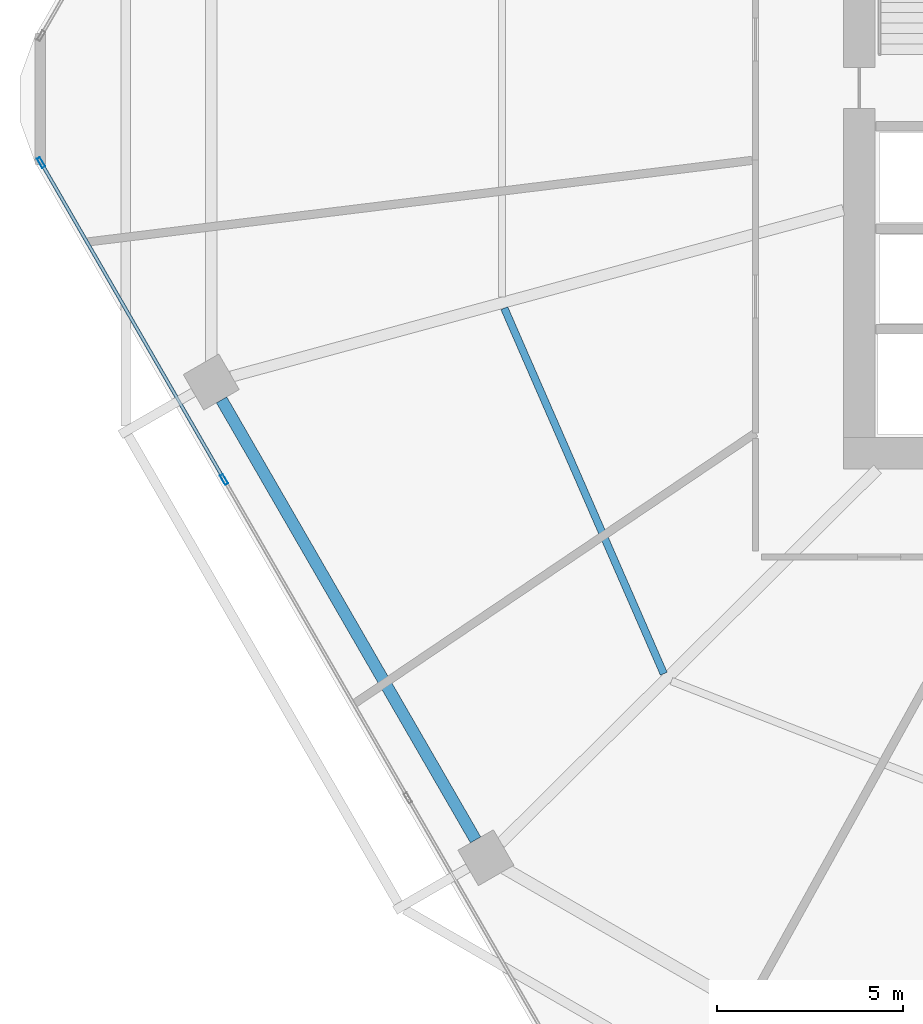
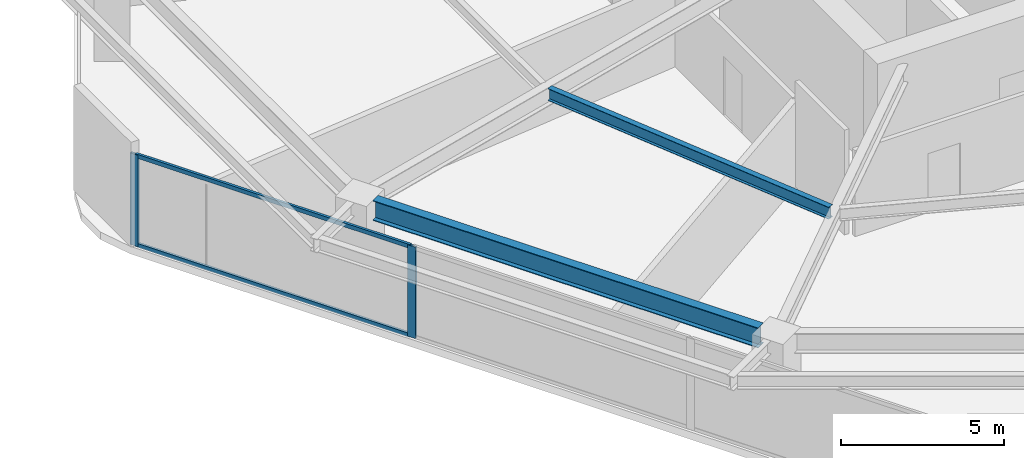
# One storey, part 5 of 28: 4 members, 2 beams, 1 element without a shape of its own.
"""IFC4 building model written with IfcOpenShell, lengths in metres."""

from ifc_helpers import new_model, si_unit, direction, frame, origin, origin_2d, place, context, subcontext, project, spatial, hollow_rectangle, i_section, extrude, material, material_profile, profile_set, type_object, element, aggregate, save


model = new_model("IFC4")

# Units and contexts
model_context = context("Model", 3, precision=1e-05, world=origin(), true_north=direction((0.0, 1.0)))
body_context = subcontext(model_context, "Body", "Model", "MODEL_VIEW")
ifc_project = project(units=[si_unit("LENGTHUNIT", "METRE"), si_unit("AREAUNIT", "SQUARE_METRE"), si_unit("VOLUMEUNIT", "CUBIC_METRE"), si_unit("PLANEANGLEUNIT", "RADIAN"), si_unit("MASSUNIT", "GRAM", prefix="KILO")], contexts=[model_context])

# Site, building, storey
site_placement = place(None, origin())
site = spatial("IfcSite", under=ifc_project, at=site_placement, CompositionType="ELEMENT")
building_placement = place(site_placement, origin())
building = spatial("IfcBuilding", under=site, at=building_placement, Name="Zuhravey Tower", CompositionType="ELEMENT")
storey_placement = place(building_placement, frame((0.0, 0.0, 79.199951171875)))
storey = spatial("IfcBuildingStorey", under=building, at=storey_placement, Name="L19", CompositionType="ELEMENT", Elevation=79.199951171875)

# Curtain wall, members
ifc_material_1 = material(Name="Thermally broken anodised aluminium", Category="aluminium")
curtain_wall_type = type_object("IfcCurtainWallType", Name="School Low-E Unitised Curtain Wall CW1", PredefinedType="NOTDEFINED", material=ifc_material_1)
curtain_wall_placement = place(storey_placement, origin())
curtain_wall = element("IfcCurtainWall", 1, at=curtain_wall_placement, inside=storey, type_object=curtain_wall_type, Name="L19 CW1 CW-L19-F4-1", PredefinedType="NOTDEFINED")
ifc_material_2 = material(Name="Anodised aluminium", Category="aluminium")
ifc_material_profile_1 = material_profile(ifc_material_2, hollow_rectangle(XDim=0.090087890625, YDim=0.284912109375, WallThickness=0.0048828125, at=origin_2d()), Name="ALU-RHS-90x285x5")
ifc_profile_set_1 = profile_set([ifc_material_profile_1], Name="Anodised aluminium")
member_type_1 = type_object("IfcMemberType", Name="Curtain-Wall Mullion 90x180", PredefinedType="MULLION", material=ifc_profile_set_1)
member_1_placement = place(storey_placement, frame((8.45458984375, 21.79296875, 0.0), z_axis=(0.0, 0.0, 1.0), x_axis=(-0.86602552265, -0.499999794119, 0.0)))
member_1 = element("IfcMember", 2, at=member_1_placement, type_object=member_type_1, Name="CW1 mullion 3", PredefinedType="MULLION", context=body_context, shape_type="SweptSolid", body=[
    extrude(hollow_rectangle(XDim=0.090087890625, YDim=0.284912109375, WallThickness=0.0048828125, at=origin_2d()), origin(), (0.0, 0.0, 1.0), 3.420166015625),
])
member_2_placement = place(storey_placement, frame((3.5439453125, 30.298583984375, 0.0), z_axis=(0.0, 0.0, 1.0), x_axis=(-0.86602552265, -0.499999794119, 0.0)))
member_2 = element("IfcMember", 3, at=member_2_placement, type_object=member_type_1, Name="CW1 mullion 4", PredefinedType="MULLION", context=body_context, shape_type="SweptSolid", body=[
    extrude(hollow_rectangle(XDim=0.090087890625, YDim=0.284912109375, WallThickness=0.0048828125, at=origin_2d()), origin(), (0.0, 0.0, 1.0), 3.420166015625),
])
ifc_material_profile_2 = material_profile(ifc_material_2, hollow_rectangle(XDim=0.090087890625, YDim=0.14990234375, WallThickness=0.0048828125, at=origin_2d()), Name="ALU-RHS-90x150x5")
ifc_profile_set_2 = profile_set([ifc_material_profile_2], Name="Anodised aluminium")
member_type_2 = type_object("IfcMemberType", Name="Curtain-Wall Transom 90x150", PredefinedType="USERDEFINED", material=ifc_profile_set_2)
member_3_placement = place(storey_placement, frame((8.43212890625, 21.83203125, 0.045166015625), z_axis=(-0.500008393077, 0.866020557985, 0.0), x_axis=(-0.866020557985, -0.500008393077, 0.0)))
member_3 = element("IfcMember", 4, at=member_3_placement, type_object=member_type_2, Name="CW1 transom 3.1", ObjectType="TRANSOM", PredefinedType="USERDEFINED", context=body_context, shape_type="SweptSolid", body=[
    extrude(hollow_rectangle(XDim=0.090087890625, YDim=0.14990234375, WallThickness=0.0048828125, at=origin_2d()), origin(), (0.0, 0.0, 1.0), 9.731201171875),
])
member_4_placement = place(storey_placement, frame((8.43212890625, 21.83203125, 3.375), z_axis=(-0.500008393077, 0.866020557985, 0.0), x_axis=(-0.866020557985, -0.500008393077, 0.0)))
member_4 = element("IfcMember", 5, at=member_4_placement, type_object=member_type_2, Name="CW1 transom 3.2", ObjectType="TRANSOM", PredefinedType="USERDEFINED", context=body_context, shape_type="SweptSolid", body=[
    extrude(hollow_rectangle(XDim=0.090087890625, YDim=0.14990234375, WallThickness=0.0048828125, at=origin_2d()), origin(), (0.0, 0.0, 1.0), 9.731201171875),
])
aggregate(curtain_wall, [member_1, member_2, member_3, member_4])

# Beams
ifc_material_3 = material(Name="Steel SM355", Category="steel")
ifc_material_profile_3 = material_profile(ifc_material_3, i_section(OverallWidth=0.320068359375, OverallDepth=0.75, WebThickness=0.013916015625, FlangeThickness=0.02490234375, at=origin_2d()), Name="H-750x320x14x25")
ifc_profile_set_3 = profile_set([ifc_material_profile_3], Name="Steel SM355")
beam_type_1 = type_object("IfcBeamType", Name="Perimeter Ring Beam H750x320", PredefinedType="BEAM", material=ifc_profile_set_3)
beam_1_placement = place(storey_placement, frame((8.387451171875, 23.929443359375, 3.545166015625), z_axis=(0.500008177929, -0.866020682204, 0.0), x_axis=(0.866020682204, 0.500008177929, 0.0)))
element("IfcBeam", 6, at=beam_1_placement, inside=storey, type_object=beam_type_1, Name="L19 PB1 BM-L19-PB-07", PredefinedType="BEAM", context=body_context, shape_type="SweptSolid", body=[
    extrude(i_section(OverallWidth=0.320068359375, OverallDepth=0.75, WebThickness=0.013916015625, FlangeThickness=0.02490234375, at=origin_2d()), origin(), (0.0, 0.0, 1.0), 13.634033203125),
])
ifc_material_profile_4 = material_profile(ifc_material_3, i_section(OverallWidth=0.199951171875, OverallDepth=0.449951171875, WebThickness=0.009033203125, FlangeThickness=0.013916015625, at=origin_2d()), Name="H-450x200x9x14")
ifc_profile_set_4 = profile_set([ifc_material_profile_4], Name="Steel SM355")
beam_type_2 = type_object("IfcBeamType", Name="Secondary Floor Joist H450x200", PredefinedType="JOIST", material=ifc_profile_set_4)
beam_2_placement = place(storey_placement, frame((15.974609375, 26.39111328125, 3.695068359375), z_axis=(0.399923551578, -0.916548500022, 0.0), x_axis=(0.916548500022, 0.399923551578, 0.0)))
element("IfcBeam", 7, at=beam_2_placement, inside=storey, type_object=beam_type_2, Name="L19 SJ1 BM-L19-SJ-07-1", PredefinedType="JOIST", context=body_context, shape_type="SweptSolid", body=[
    extrude(i_section(OverallWidth=0.199951171875, OverallDepth=0.449951171875, WebThickness=0.009033203125, FlangeThickness=0.013916015625, at=origin_2d()), origin(), (0.0, 0.0, 1.0), 10.70263671875),
])

save(model, "model.ifc")
